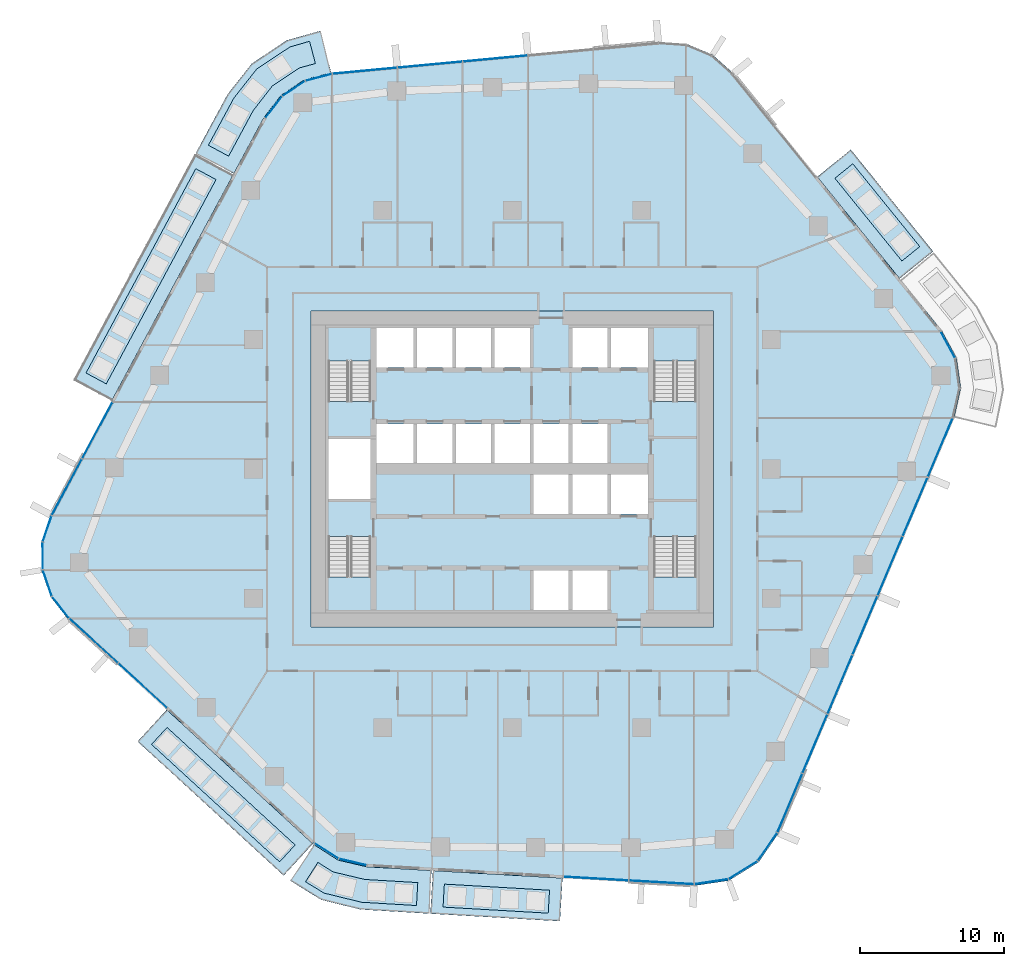
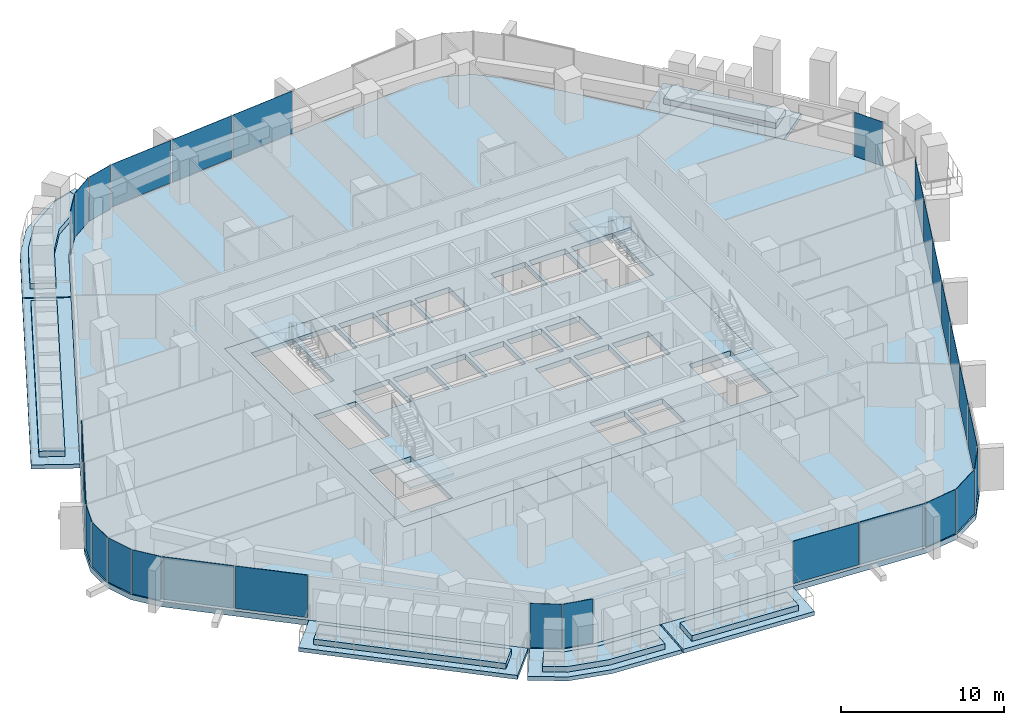
# One storey, part 10 of 24: 29 plates, 18 slabs, 14 elements without a shape of their own.
"""IFC4 building model written with IfcOpenShell, lengths in metres."""

from ifc_helpers import new_model, si_unit, direction, frame, origin, origin_2d, place, context, subcontext, project, spatial, polyline, rectangle, outline, extrude, material, layer, layer_set, type_object, element, aggregate, save


model = new_model("IFC4")

# Units and contexts
model_context = context("Model", 3, precision=1e-05, world=origin(), true_north=direction((0.0, 1.0)))
body_context = subcontext(model_context, "Body", "Model", "MODEL_VIEW")
ifc_project = project(units=[si_unit("LENGTHUNIT", "METRE"), si_unit("AREAUNIT", "SQUARE_METRE"), si_unit("VOLUMEUNIT", "CUBIC_METRE"), si_unit("PLANEANGLEUNIT", "RADIAN"), si_unit("MASSUNIT", "GRAM", prefix="KILO")], contexts=[model_context])

# Site, building, storey
site_placement = place(None, origin())
site = spatial("IfcSite", under=ifc_project, at=site_placement, CompositionType="ELEMENT")
building_placement = place(site_placement, origin())
building = spatial("IfcBuilding", under=site, at=building_placement, Name="Dongbaek Canopy Tower", CompositionType="ELEMENT")
storey_placement = place(building_placement, frame((0.0, 0.0, 124.800048828125)))
storey = spatial("IfcBuildingStorey", under=building, at=storey_placement, Name="L27", CompositionType="ELEMENT", Elevation=124.800048828125)

# Slabs
ifc_material_1 = material(Name="Concrete C40/50", Category="concrete")
ifc_layer_1 = layer(ifc_material_1, 0.300048828125)
ifc_layer_set_1 = layer_set([ifc_layer_1], Name="Balcony slab 300")
slab_type_1 = type_object("IfcSlabType", Name="Balcony slab 300", PredefinedType="FLOOR", material=ifc_layer_set_1)
slab_1_placement = place(storey_placement, frame((0.0, 0.0, -0.300048828125)))
element("IfcSlab", 1, at=slab_1_placement, inside=storey, type_object=slab_type_1, Name="Balcony L27 1", PredefinedType="FLOOR", context=body_context, shape_type="SweptSolid", body=[
    extrude(outline(polyline([(26.938720703125, 13.24365234375), (21.208740234375, 20.31982421875), (23.540283203125, 22.207763671875), (29.27001953125, 15.131591796875), (26.938720703125, 13.24365234375)])), origin(), (0.0, 0.0, 1.0), 0.300048828125),
])
slab_2_placement = place(storey_placement, frame((0.0, 0.0, -0.300048828125)))
element("IfcSlab", 2, at=slab_2_placement, inside=storey, type_object=slab_type_1, Name="Balcony L27 2", PredefinedType="FLOOR", context=body_context, shape_type="SweptSolid", body=[
    extrude(outline(polyline([(-19.41796875, 20.454833984375), (-27.858154296875, 4.7509765625), (-30.500732421875, 6.171142578125), (-22.060546875, 21.875), (-19.41796875, 20.454833984375)])), origin(), (0.0, 0.0, 1.0), 0.300048828125),
])
slab_3_placement = place(storey_placement, frame((0.0, 0.0, -0.300048828125)))
element("IfcSlab", 3, at=slab_3_placement, inside=storey, type_object=slab_type_1, Name="Balcony L27 6", PredefinedType="FLOOR", context=body_context, shape_type="SweptSolid", body=[
    extrude(outline(polyline([(-12.59619140625, 27.5673828125), (-14.442626953125, 27.0810546875), (-16.07568359375, 25.998046875), (-17.2724609375, 24.44677734375), (-19.370849609375, 20.54296875), (-22.01318359375, 21.963134765625), (-19.789794921875, 26.078857421875), (-18.11962890625, 28.194091796875), (-15.670166015625, 29.818359375), (-13.3603515625, 30.468505859375), (-12.59619140625, 27.5673828125)])), origin(), (0.0, 0.0, 1.0), 0.300048828125),
])
slab_4_placement = place(storey_placement, frame((0.0, 0.0, -0.300048828125)))
element("IfcSlab", 4, at=slab_4_placement, inside=storey, type_object=slab_type_1, Name="Balcony L27 3", PredefinedType="FLOOR", context=body_context, shape_type="SweptSolid", body=[
    extrude(outline(polyline([(-24.036376953125, -16.743896484375), (-13.875244140625, -26.064697265625), (-15.903076171875, -28.275390625), (-26.064208984375, -18.95458984375), (-24.036376953125, -16.743896484375)])), origin(), (0.0, 0.0, 1.0), 0.300048828125),
])
slab_5_placement = place(storey_placement, frame((0.0, 0.0, -0.300048828125)))
element("IfcSlab", 5, at=slab_5_placement, inside=storey, type_object=slab_type_1, Name="Balcony L27 4", PredefinedType="FLOOR", context=body_context, shape_type="SweptSolid", body=[
    extrude(outline(polyline([(-5.52294921875, -27.933349609375), (3.489501953125, -28.45458984375), (3.316162109375, -31.44970703125), (-5.6962890625, -30.92822265625), (-5.52294921875, -27.933349609375)])), origin(), (0.0, 0.0, 1.0), 0.300048828125),
])
slab_6_placement = place(storey_placement, frame((0.0, 0.0, -0.300048828125)))
element("IfcSlab", 6, at=slab_6_placement, inside=storey, type_object=slab_type_1, Name="Balcony L27 7", PredefinedType="FLOOR", context=body_context, shape_type="SweptSolid", body=[
    extrude(outline(polyline([(-13.79638671875, -26.12548828125), (-12.119140625, -27.203125), (-10.12890625, -27.666748046875), (-5.622802734375, -27.927490234375), (-5.796142578125, -30.922607421875), (-10.5576171875, -30.635986328125), (-13.28759765625, -29.96630859375), (-15.418212890625, -28.649169921875), (-13.79638671875, -26.12548828125)])), origin(), (0.0, 0.0, 1.0), 0.300048828125),
])

# Curtain wall, plate
ifc_material_2 = material(Name="Aluminium 6063-T6 pale anodised", Category="aluminium")
ifc_layer_2 = layer(ifc_material_2, 0.199951171875)
ifc_layer_set_2 = layer_set([ifc_layer_2], Name="CW-1 unitised tower curtain wall")
curtain_wall_type = type_object("IfcCurtainWallType", Name="CW-1 unitised tower curtain wall", PredefinedType="NOTDEFINED", material=ifc_layer_set_2)
curtain_wall_1_placement = place(storey_placement, origin())
curtain_wall_1 = element("IfcCurtainWall", 7, at=curtain_wall_1_placement, inside=storey, type_object=curtain_wall_type, Name="CW-1 curtain wall K0.1", PredefinedType="NOTDEFINED")
ifc_material_3 = material(Name="Clear laminated glass", Category="glass")
ifc_layer_3 = layer(ifc_material_3, 0.028076171875)
ifc_layer_set_3 = layer_set([ifc_layer_3], Name="CW-1 glazed panel 28")
plate_type = type_object("IfcPlateType", Name="CW-1 glazed panel 28", PredefinedType="CURTAIN_PANEL", material=ifc_layer_set_3)
plate_1_placement = place(storey_placement, frame((30.29248046875, 8.640869140625, 0.0), z_axis=(0.0, 0.0, 1.0), x_axis=(-0.479865359052, 0.87734214374, 0.0)))
plate_1 = element("IfcPlate", 8, at=plate_1_placement, type_object=plate_type, Name="CW-1 panel K0.1.3.1", PredefinedType="CURTAIN_PANEL", context=body_context, shape_type="SweptSolid", body=[
    extrude(rectangle(XDim=2.038818359375, YDim=0.028076171875, at=origin_2d()), origin(), (0.0, 0.0, 1.0), 3.300048828125),
])
aggregate(curtain_wall_1, [plate_1])

# Curtain wall, plates
curtain_wall_2_placement = place(storey_placement, origin())
curtain_wall_2 = element("IfcCurtainWall", 9, at=curtain_wall_2_placement, inside=storey, type_object=curtain_wall_type, Name="CW-1 curtain wall F1.1", PredefinedType="NOTDEFINED")
plate_2_placement = place(storey_placement, frame((-1.18408203125, 28.545654296875, 0.1201171875), z_axis=(0.0, 0.0, 1.0), x_axis=(-0.995628871634, -0.093397804951, 0.0)))
plate_2 = element("IfcPlate", 10, at=plate_2_placement, type_object=plate_type, Name="CW-1 panel F1.1.3.1", PredefinedType="CURTAIN_PANEL", context=body_context, shape_type="SweptSolid", body=[
    extrude(rectangle(XDim=4.477783203125, YDim=0.028076171875, at=origin_2d()), origin(), (0.0, 0.0, 1.0), 3.179931640625),
])
plate_3_placement = place(storey_placement, frame((-5.725830078125, 28.11962890625, 0.1201171875), z_axis=(0.0, 0.0, 1.0), x_axis=(-0.995628871634, -0.093397804951, 0.0)))
plate_3 = element("IfcPlate", 11, at=plate_3_placement, type_object=plate_type, Name="CW-1 panel F1.1.4.1", PredefinedType="CURTAIN_PANEL", context=body_context, shape_type="SweptSolid", body=[
    extrude(rectangle(XDim=4.477783203125, YDim=0.028076171875, at=origin_2d()), origin(), (0.0, 0.0, 1.0), 3.179931640625),
])
plate_4_placement = place(storey_placement, frame((-10.263671875, 27.694091796875, 0.1201171875), z_axis=(0.0, 0.0, 1.0), x_axis=(-0.995628871634, -0.093397804951, 0.0)))
plate_4 = element("IfcPlate", 12, at=plate_4_placement, type_object=plate_type, Name="CW-1 panel F1.1.5.1", PredefinedType="CURTAIN_PANEL", context=body_context, shape_type="SweptSolid", body=[
    extrude(rectangle(XDim=4.469482421875, YDim=0.028076171875, at=origin_2d()), origin(), (0.0, 0.0, 1.0), 3.179931640625),
])
aggregate(curtain_wall_2, [plate_2, plate_3, plate_4])

curtain_wall_3_placement = place(storey_placement, origin())
curtain_wall_3 = element("IfcCurtainWall", 13, at=curtain_wall_3_placement, inside=storey, type_object=curtain_wall_type, Name="CW-1 curtain wall K2.1", PredefinedType="NOTDEFINED")
plate_5_placement = place(storey_placement, frame((-13.4658203125, 27.235107421875, 0.0), z_axis=(0.0, 0.0, 1.0), x_axis=(-0.967016491994, -0.254713769182, 0.0)))
plate_5 = element("IfcPlate", 14, at=plate_5_placement, type_object=plate_type, Name="CW-1 panel K2.1.1.1", PredefinedType="CURTAIN_PANEL", context=body_context, shape_type="SweptSolid", body=[
    extrude(rectangle(XDim=1.8505859375, YDim=0.028076171875, at=origin_2d()), origin(), (0.0, 0.0, 1.0), 3.300048828125),
])
plate_6_placement = place(storey_placement, frame((-15.203857421875, 26.456298828125, 0.0), z_axis=(0.0, 0.0, 1.0), x_axis=(-0.833387890824, -0.552688541068, 0.0)))
plate_6 = element("IfcPlate", 15, at=plate_6_placement, type_object=plate_type, Name="CW-1 panel K2.1.2.1", PredefinedType="CURTAIN_PANEL", context=body_context, shape_type="SweptSolid", body=[
    extrude(rectangle(XDim=1.84228515625, YDim=0.028076171875, at=origin_2d()), origin(), (0.0, 0.0, 1.0), 3.300048828125),
])
plate_7_placement = place(storey_placement, frame((-16.597412109375, 25.158203125, 0.0), z_axis=(0.0, 0.0, 1.0), x_axis=(-0.610882164883, -0.791721529724, 0.0)))
plate_7 = element("IfcPlate", 16, at=plate_7_placement, type_object=plate_type, Name="CW-1 panel K2.1.3.1", PredefinedType="CURTAIN_PANEL", context=body_context, shape_type="SweptSolid", body=[
    extrude(rectangle(XDim=1.8505859375, YDim=0.028076171875, at=origin_2d()), origin(), (0.0, 0.0, 1.0), 3.300048828125),
])
aggregate(curtain_wall_3, [plate_5, plate_6, plate_7])

curtain_wall_4_placement = place(storey_placement, origin())
curtain_wall_4 = element("IfcCurtainWall", 17, at=curtain_wall_4_placement, inside=storey, type_object=curtain_wall_type, Name="CW-1 curtain wall F2.1", PredefinedType="NOTDEFINED")
plate_8_placement = place(storey_placement, frame((-28.854736328125, 2.685546875, 0.1201171875), z_axis=(0.0, 0.0, 1.0), x_axis=(-0.473408868372, -0.880842802858, 0.0)))
plate_8 = element("IfcPlate", 18, at=plate_8_placement, type_object=plate_type, Name="CW-1 panel F2.1.1.1", PredefinedType="CURTAIN_PANEL", context=body_context, shape_type="SweptSolid", body=[
    extrude(rectangle(XDim=4.39794921875, YDim=0.028076171875, at=origin_2d()), origin(), (0.0, 0.0, 1.0), 3.179931640625),
])
plate_9_placement = place(storey_placement, frame((-30.974609375, -1.2587890625, 0.1201171875), z_axis=(0.0, 0.0, 1.0), x_axis=(-0.473408868372, -0.880842802858, 0.0)))
plate_9 = element("IfcPlate", 19, at=plate_9_placement, type_object=plate_type, Name="CW-1 panel F2.1.2.1", PredefinedType="CURTAIN_PANEL", context=body_context, shape_type="SweptSolid", body=[
    extrude(rectangle(XDim=4.389892578125, YDim=0.028076171875, at=origin_2d()), origin(), (0.0, 0.0, 1.0), 3.179931640625),
])
aggregate(curtain_wall_4, [plate_8, plate_9])

curtain_wall_5_placement = place(storey_placement, origin())
curtain_wall_5 = element("IfcCurtainWall", 20, at=curtain_wall_5_placement, inside=storey, type_object=curtain_wall_type, Name="CW-1 curtain wall K3.1", PredefinedType="NOTDEFINED")
plate_10_placement = place(storey_placement, frame((-32.347412109375, -4.1513671875, 0.0), z_axis=(0.0, 0.0, 1.0), x_axis=(-0.322102411713, -0.946704830646, 0.0)))
plate_10 = element("IfcPlate", 21, at=plate_10_placement, type_object=plate_type, Name="CW-1 panel K3.1.1.1", PredefinedType="CURTAIN_PANEL", context=body_context, shape_type="SweptSolid", body=[
    extrude(rectangle(XDim=1.864501953125, YDim=0.028076171875, at=origin_2d()), origin(), (0.0, 0.0, 1.0), 3.300048828125),
])
plate_11_placement = place(storey_placement, frame((-32.65869140625, -6.0439453125, 0.0), z_axis=(0.0, 0.0, 1.0), x_axis=(0.002465299331, -0.999996961145, 0.0)))
plate_11 = element("IfcPlate", 22, at=plate_11_placement, type_object=plate_type, Name="CW-1 panel K3.1.2.1", PredefinedType="CURTAIN_PANEL", context=body_context, shape_type="SweptSolid", body=[
    extrude(rectangle(XDim=1.856201171875, YDim=0.028076171875, at=origin_2d()), origin(), (0.0, 0.0, 1.0), 3.300048828125),
])
plate_12_placement = place(storey_placement, frame((-32.33935546875, -7.9306640625, 0.0), z_axis=(0.0, 0.0, 1.0), x_axis=(0.326766303833, -0.945105170169, 0.0)))
plate_12 = element("IfcPlate", 23, at=plate_12_placement, type_object=plate_type, Name="CW-1 panel K3.1.3.1", PredefinedType="CURTAIN_PANEL", context=body_context, shape_type="SweptSolid", body=[
    extrude(rectangle(XDim=1.856201171875, YDim=0.028076171875, at=origin_2d()), origin(), (0.0, 0.0, 1.0), 3.300048828125),
])
plate_13_placement = place(storey_placement, frame((-31.422607421875, -9.615234375, 0.0), z_axis=(0.0, 0.0, 1.0), x_axis=(0.615716340737, -0.787967884973, 0.0)))
plate_13 = element("IfcPlate", 24, at=plate_13_placement, type_object=plate_type, Name="CW-1 panel K3.1.4.1", PredefinedType="CURTAIN_PANEL", context=body_context, shape_type="SweptSolid", body=[
    extrude(rectangle(XDim=1.864501953125, YDim=0.028076171875, at=origin_2d()), origin(), (0.0, 0.0, 1.0), 3.300048828125),
])
aggregate(curtain_wall_5, [plate_10, plate_11, plate_12, plate_13])

curtain_wall_6_placement = place(storey_placement, origin())
curtain_wall_6 = element("IfcCurtainWall", 25, at=curtain_wall_6_placement, inside=storey, type_object=curtain_wall_type, Name="CW-1 curtain wall F3.1", PredefinedType="NOTDEFINED")
plate_14_placement = place(storey_placement, frame((-29.119873046875, -11.94482421875, 0.1201171875), z_axis=(0.0, 0.0, 1.0), x_axis=(0.73691964934, -0.675980347655, 0.0)))
plate_14 = element("IfcPlate", 26, at=plate_14_placement, type_object=plate_type, Name="CW-1 panel F3.1.1.1", PredefinedType="CURTAIN_PANEL", context=body_context, shape_type="SweptSolid", body=[
    extrude(rectangle(XDim=4.537353515625, YDim=0.028076171875, at=origin_2d()), origin(), (0.0, 0.0, 1.0), 3.179931640625),
])
plate_15_placement = place(storey_placement, frame((-25.71142578125, -15.071533203125, 0.1201171875), z_axis=(0.0, 0.0, 1.0), x_axis=(0.73691964934, -0.675980347655, 0.0)))
plate_15 = element("IfcPlate", 27, at=plate_15_placement, type_object=plate_type, Name="CW-1 panel F3.1.2.1", PredefinedType="CURTAIN_PANEL", context=body_context, shape_type="SweptSolid", body=[
    extrude(rectangle(XDim=4.54541015625, YDim=0.028076171875, at=origin_2d()), origin(), (0.0, 0.0, 1.0), 3.179931640625),
])
aggregate(curtain_wall_6, [plate_14, plate_15])

curtain_wall_7_placement = place(storey_placement, origin())
curtain_wall_7 = element("IfcCurtainWall", 28, at=curtain_wall_7_placement, inside=storey, type_object=curtain_wall_type, Name="CW-1 curtain wall K4.1", PredefinedType="NOTDEFINED")
plate_16_placement = place(storey_placement, frame((-12.928466796875, -26.564208984375, 0.0), z_axis=(0.0, 0.0, 1.0), x_axis=(0.84127065306, -0.540614176933, 0.0)))
plate_16 = element("IfcPlate", 29, at=plate_16_placement, type_object=plate_type, Name="CW-1 panel K4.1.1.1", PredefinedType="CURTAIN_PANEL", context=body_context, shape_type="SweptSolid", body=[
    extrude(rectangle(XDim=1.93359375, YDim=0.028076171875, at=origin_2d()), origin(), (0.0, 0.0, 1.0), 3.300048828125),
])
plate_17_placement = place(storey_placement, frame((-11.09716796875, -27.338623046875, 0.0), z_axis=(0.0, 0.0, 1.0), x_axis=(0.973913734887, -0.226918569092, 0.0)))
plate_17 = element("IfcPlate", 30, at=plate_17_placement, type_object=plate_type, Name="CW-1 panel K4.1.2.1", PredefinedType="CURTAIN_PANEL", context=body_context, shape_type="SweptSolid", body=[
    extrude(rectangle(XDim=1.93359375, YDim=0.028076171875, at=origin_2d()), origin(), (0.0, 0.0, 1.0), 3.300048828125),
])
aggregate(curtain_wall_7, [plate_16, plate_17])

curtain_wall_8_placement = place(storey_placement, origin())
curtain_wall_8 = element("IfcCurtainWall", 31, at=curtain_wall_8_placement, inside=storey, type_object=curtain_wall_type, Name="CW-1 curtain wall F4.1", PredefinedType="NOTDEFINED")
plate_18_placement = place(storey_placement, frame((5.8232421875, -28.489501953125, 0.1201171875), z_axis=(0.0, 0.0, 1.0), x_axis=(0.998330893109, -0.057753163239, 0.0)))
plate_18 = element("IfcPlate", 32, at=plate_18_placement, type_object=plate_type, Name="CW-1 panel F4.1.1.1", PredefinedType="CURTAIN_PANEL", context=body_context, shape_type="SweptSolid", body=[
    extrude(rectangle(XDim=4.479736328125, YDim=0.028076171875, at=origin_2d()), origin(), (0.0, 0.0, 1.0), 3.179931640625),
])
plate_19_placement = place(storey_placement, frame((10.374267578125, -28.752685546875, 0.1201171875), z_axis=(0.0, 0.0, 1.0), x_axis=(0.998330893109, -0.057753163239, 0.0)))
plate_19 = element("IfcPlate", 33, at=plate_19_placement, type_object=plate_type, Name="CW-1 panel F4.1.2.1", PredefinedType="CURTAIN_PANEL", context=body_context, shape_type="SweptSolid", body=[
    extrude(rectangle(XDim=4.469482421875, YDim=0.028076171875, at=origin_2d()), origin(), (0.0, 0.0, 1.0), 3.179931640625),
])
aggregate(curtain_wall_8, [plate_18, plate_19])

curtain_wall_9_placement = place(storey_placement, origin())
curtain_wall_9 = element("IfcCurtainWall", 34, at=curtain_wall_9_placement, inside=storey, type_object=curtain_wall_type, Name="CW-1 curtain wall K5.1", PredefinedType="NOTDEFINED")
plate_20_placement = place(storey_placement, frame((13.83837890625, -28.7080078125, 0.0), z_axis=(0.0, 0.0, 1.0), x_axis=(0.989224591579, 0.146405967824, 0.0)))
plate_20 = element("IfcPlate", 35, at=plate_20_placement, type_object=plate_type, Name="CW-1 panel K5.1.1.1", PredefinedType="CURTAIN_PANEL", context=body_context, shape_type="SweptSolid", body=[
    extrude(rectangle(XDim=2.324462890625, YDim=0.028076171875, at=origin_2d()), origin(), (0.0, 0.0, 1.0), 3.300048828125),
])
plate_21_placement = place(storey_placement, frame((16.0478515625, -27.8984375, 0.0), z_axis=(0.0, 0.0, 1.0), x_axis=(0.849176171433, 0.528109675987, 0.0)))
plate_21 = element("IfcPlate", 36, at=plate_21_placement, type_object=plate_type, Name="CW-1 panel K5.1.2.1", PredefinedType="CURTAIN_PANEL", context=body_context, shape_type="SweptSolid", body=[
    extrude(rectangle(XDim=2.31396484375, YDim=0.028076171875, at=origin_2d()), origin(), (0.0, 0.0, 1.0), 3.300048828125),
])
plate_22_placement = place(storey_placement, frame((17.7509765625, -26.274658203125, 0.0), z_axis=(0.0, 0.0, 1.0), x_axis=(0.568749350767, 0.822510897194, 0.0)))
plate_22 = element("IfcPlate", 37, at=plate_22_placement, type_object=plate_type, Name="CW-1 panel K5.1.3.1", PredefinedType="CURTAIN_PANEL", context=body_context, shape_type="SweptSolid", body=[
    extrude(rectangle(XDim=2.324462890625, YDim=0.028076171875, at=origin_2d()), origin(), (0.0, 0.0, 1.0), 3.300048828125),
])
aggregate(curtain_wall_9, [plate_20, plate_21, plate_22])

curtain_wall_10_placement = place(storey_placement, origin())
curtain_wall_10 = element("IfcCurtainWall", 38, at=curtain_wall_10_placement, inside=storey, type_object=curtain_wall_type, Name="CW-1 curtain wall F5.1", PredefinedType="NOTDEFINED")
plate_23_placement = place(storey_placement, frame((19.3056640625, -23.228515625, 0.1201171875), z_axis=(0.0, 0.0, 1.0), x_axis=(0.389662506836, 0.920957724744, 0.0)))
plate_23 = element("IfcPlate", 39, at=plate_23_placement, type_object=plate_type, Name="CW-1 panel F5.1.1.1", PredefinedType="CURTAIN_PANEL", context=body_context, shape_type="SweptSolid", body=[
    extrude(rectangle(XDim=4.38037109375, YDim=0.028076171875, at=origin_2d()), origin(), (0.0, 0.0, 1.0), 3.179931640625),
])
plate_24_placement = place(storey_placement, frame((21.04736328125, -19.1123046875, 0.1201171875), z_axis=(0.0, 0.0, 1.0), x_axis=(0.389662506836, 0.920957724744, 0.0)))
plate_24 = element("IfcPlate", 40, at=plate_24_placement, type_object=plate_type, Name="CW-1 panel F5.1.2.1", PredefinedType="CURTAIN_PANEL", context=body_context, shape_type="SweptSolid", body=[
    extrude(rectangle(XDim=4.390625, YDim=0.028076171875, at=origin_2d()), origin(), (0.0, 0.0, 1.0), 3.179931640625),
])
plate_25_placement = place(storey_placement, frame((22.791015625, -14.9912109375, 0.1201171875), z_axis=(0.0, 0.0, 1.0), x_axis=(0.389662506836, 0.920957724744, 0.0)))
plate_25 = element("IfcPlate", 41, at=plate_25_placement, type_object=plate_type, Name="CW-1 panel F5.1.3.1", PredefinedType="CURTAIN_PANEL", context=body_context, shape_type="SweptSolid", body=[
    extrude(rectangle(XDim=4.390625, YDim=0.028076171875, at=origin_2d()), origin(), (0.0, 0.0, 1.0), 3.179931640625),
])
plate_26_placement = place(storey_placement, frame((24.534423828125, -10.870361328125, 0.1201171875), z_axis=(0.0, 0.0, 1.0), x_axis=(0.389662506836, 0.920957724744, 0.0)))
plate_26 = element("IfcPlate", 42, at=plate_26_placement, type_object=plate_type, Name="CW-1 panel F5.1.4.1", PredefinedType="CURTAIN_PANEL", context=body_context, shape_type="SweptSolid", body=[
    extrude(rectangle(XDim=4.390625, YDim=0.028076171875, at=origin_2d()), origin(), (0.0, 0.0, 1.0), 3.179931640625),
])
plate_27_placement = place(storey_placement, frame((26.278076171875, -6.749267578125, 0.1201171875), z_axis=(0.0, 0.0, 1.0), x_axis=(0.389662506836, 0.920957724744, 0.0)))
plate_27 = element("IfcPlate", 43, at=plate_27_placement, type_object=plate_type, Name="CW-1 panel F5.1.5.1", PredefinedType="CURTAIN_PANEL", context=body_context, shape_type="SweptSolid", body=[
    extrude(rectangle(XDim=4.390625, YDim=0.028076171875, at=origin_2d()), origin(), (0.0, 0.0, 1.0), 3.179931640625),
])
plate_28_placement = place(storey_placement, frame((28.021728515625, -2.62841796875, 0.1201171875), z_axis=(0.0, 0.0, 1.0), x_axis=(0.389662506836, 0.920957724744, 0.0)))
plate_28 = element("IfcPlate", 44, at=plate_28_placement, type_object=plate_type, Name="CW-1 panel F5.1.6.1", PredefinedType="CURTAIN_PANEL", context=body_context, shape_type="SweptSolid", body=[
    extrude(rectangle(XDim=4.390625, YDim=0.028076171875, at=origin_2d()), origin(), (0.0, 0.0, 1.0), 3.179931640625),
])
plate_29_placement = place(storey_placement, frame((29.763671875, 1.488525390625, 0.1201171875), z_axis=(0.0, 0.0, 1.0), x_axis=(0.389662506836, 0.920957724744, 0.0)))
plate_29 = element("IfcPlate", 45, at=plate_29_placement, type_object=plate_type, Name="CW-1 panel F5.1.7.1", PredefinedType="CURTAIN_PANEL", context=body_context, shape_type="SweptSolid", body=[
    extrude(rectangle(XDim=4.381591796875, YDim=0.028076171875, at=origin_2d()), origin(), (0.0, 0.0, 1.0), 3.179931640625),
])
aggregate(curtain_wall_10, [plate_23, plate_24, plate_25, plate_26, plate_27, plate_28, plate_29])

# Slab
ifc_material_4 = material(Name="Concrete C40/50", Category="concrete")
ifc_layer_4 = layer(ifc_material_4, 0.39990234375)
ifc_layer_set_4 = layer_set([ifc_layer_4], Name="Core floor slab 400 Concrete C40/50")
slab_type_2 = type_object("IfcSlabType", Name="Core floor slab 400 Concrete C40/50", PredefinedType="FLOOR", material=ifc_layer_set_4)
slab_7_placement = place(storey_placement, frame((0.0, 0.0, -0.400146484375)))
element("IfcSlab", 46, at=slab_7_placement, inside=storey, type_object=slab_type_2, Name="Core floor slab L27", PredefinedType="FLOOR", context=body_context, shape_type="SweptSolid", body=[
    extrude(outline(polyline([(14.0, -11.0), (14.0, 11.0), (-14.0, 11.0), (-14.0, -11.0), (14.0, -11.0)]), holes=[polyline([(-12.800048828125, 2.10009765625), (-9.85009765625, 2.10009765625), (-9.85009765625, -2.10009765625), (-12.800048828125, -2.10009765625), (-12.800048828125, 2.10009765625)]), polyline([(-6.875, 9.800048828125), (-6.875, 7.074951171875), (-9.449951171875, 7.074951171875), (-9.449951171875, 9.800048828125), (-6.875, 9.800048828125)]), polyline([(-4.175048828125, 9.800048828125), (-4.175048828125, 7.074951171875), (-6.625, 7.074951171875), (-6.625, 9.800048828125), (-4.175048828125, 9.800048828125)]), polyline([(-1.47509765625, 9.800048828125), (-1.47509765625, 7.074951171875), (-3.925048828125, 7.074951171875), (-3.925048828125, 9.800048828125), (-1.47509765625, 9.800048828125)]), polyline([(1.22509765625, 9.800048828125), (1.22509765625, 7.074951171875), (-1.22509765625, 7.074951171875), (-1.22509765625, 9.800048828125), (1.22509765625, 9.800048828125)]), polyline([(6.625, 9.800048828125), (6.625, 7.074951171875), (4.175048828125, 7.074951171875), (4.175048828125, 9.800048828125), (6.625, 9.800048828125)]), polyline([(9.449951171875, 7.074951171875), (6.875, 7.074951171875), (6.875, 9.800048828125), (9.449951171875, 9.800048828125), (9.449951171875, 7.074951171875)]), polyline([(-9.449951171875, 3.125), (-6.875, 3.125), (-6.875, 0.39990234375), (-9.449951171875, 0.39990234375), (-9.449951171875, 3.125)]), polyline([(-6.625, 3.125), (-4.175048828125, 3.125), (-4.175048828125, 0.39990234375), (-6.625, 0.39990234375), (-6.625, 3.125)]), polyline([(-3.925048828125, 3.125), (-1.47509765625, 3.125), (-1.47509765625, 0.39990234375), (-3.925048828125, 0.39990234375), (-3.925048828125, 3.125)]), polyline([(-1.22509765625, 0.39990234375), (-1.22509765625, 3.125), (1.22509765625, 3.125), (1.22509765625, 0.39990234375), (-1.22509765625, 0.39990234375)]), polyline([(3.925048828125, 3.125), (3.925048828125, 0.39990234375), (1.47509765625, 0.39990234375), (1.47509765625, 3.125), (3.925048828125, 3.125)]), polyline([(4.175048828125, 3.125), (6.625, 3.125), (6.625, 0.39990234375), (4.175048828125, 0.39990234375), (4.175048828125, 3.125)]), polyline([(1.47509765625, -0.39990234375), (3.925048828125, -0.39990234375), (3.925048828125, -3.125), (1.47509765625, -3.125), (1.47509765625, -0.39990234375)]), polyline([(4.175048828125, -3.125), (4.175048828125, -0.39990234375), (6.625, -0.39990234375), (6.625, -3.125), (4.175048828125, -3.125)]), polyline([(9.449951171875, -3.125), (6.875, -3.125), (6.875, -0.39990234375), (9.449951171875, -0.39990234375), (9.449951171875, -3.125)]), polyline([(1.47509765625, -9.800048828125), (1.47509765625, -7.074951171875), (3.925048828125, -7.074951171875), (3.925048828125, -9.800048828125), (1.47509765625, -9.800048828125)]), polyline([(4.175048828125, -9.800048828125), (4.175048828125, -7.074951171875), (6.625, -7.074951171875), (6.625, -9.800048828125), (4.175048828125, -9.800048828125)]), polyline([(12.800048828125, 4.70068359375), (12.800048828125, 9.800048828125), (9.85009765625, 9.800048828125), (9.85009765625, 4.70068359375), (12.800048828125, 4.70068359375)]), polyline([(-9.85009765625, 4.70068359375), (-9.85009765625, 9.800048828125), (-12.800048828125, 9.800048828125), (-12.800048828125, 4.70068359375), (-9.85009765625, 4.70068359375)]), polyline([(9.85009765625, -4.70068359375), (9.85009765625, -9.800048828125), (12.800048828125, -9.800048828125), (12.800048828125, -4.70068359375), (9.85009765625, -4.70068359375)]), polyline([(-12.800048828125, -4.70068359375), (-12.800048828125, -9.800048828125), (-9.85009765625, -9.800048828125), (-9.85009765625, -4.70068359375), (-12.800048828125, -4.70068359375)])]), origin(), (0.0, 0.0, 1.0), 0.400146484375),
])

# Stair, slab
ifc_material_5 = material(Name="Concrete C40/50", Category="concrete")
stair_type = type_object("IfcStairType", Name="Core exit stair", PredefinedType="HALF_TURN_STAIR", material=ifc_material_5)
stair_1_placement = place(storey_placement, origin())
stair_1 = element("IfcStair", 47, at=stair_1_placement, inside=storey, type_object=stair_type, Name="L27 exit stair A", PredefinedType="HALF_TURN_STAIR")
ifc_material_6 = material(Name="Concrete C40/50", Category="concrete")
ifc_layer_5 = layer(ifc_material_6, 0.199951171875)
ifc_layer_set_5 = layer_set([ifc_layer_5], Name="Core stair landing 200")
slab_type_3 = type_object("IfcSlabType", Name="Core stair landing 200", PredefinedType="LANDING", material=ifc_layer_set_5)
slab_8_placement = place(storey_placement, frame((0.0, 0.0, 1.64990234375)))
slab_8 = element("IfcSlab", 48, at=slab_8_placement, type_object=slab_type_3, Name="ST-A landing 1", PredefinedType="LANDING", context=body_context, shape_type="SweptSolid", body=[
    extrude(outline(polyline([(12.875, 7.5), (12.875, 9.875), (9.77490234375, 9.875), (9.77490234375, 7.5), (12.875, 7.5)])), origin(), (0.0, 0.0, 1.0), 0.199951171875),
])
aggregate(stair_1, [slab_8])

stair_2_placement = place(storey_placement, origin())
stair_2 = element("IfcStair", 49, at=stair_2_placement, inside=storey, type_object=stair_type, Name="L27 exit stair C", PredefinedType="HALF_TURN_STAIR")
slab_9_placement = place(storey_placement, frame((0.0, 0.0, 1.64990234375)))
slab_9 = element("IfcSlab", 50, at=slab_9_placement, type_object=slab_type_3, Name="ST-C landing 1", PredefinedType="LANDING", context=body_context, shape_type="SweptSolid", body=[
    extrude(outline(polyline([(-9.77490234375, 7.5), (-9.77490234375, 9.875), (-12.875, 9.875), (-12.875, 7.5), (-9.77490234375, 7.5)])), origin(), (0.0, 0.0, 1.0), 0.199951171875),
])
aggregate(stair_2, [slab_9])

stair_3_placement = place(storey_placement, origin())
stair_3 = element("IfcStair", 51, at=stair_3_placement, inside=storey, type_object=stair_type, Name="L27 exit stair B", PredefinedType="HALF_TURN_STAIR")
slab_10_placement = place(storey_placement, frame((0.0, 0.0, 1.64990234375)))
slab_10 = element("IfcSlab", 52, at=slab_10_placement, type_object=slab_type_3, Name="ST-B landing 1", PredefinedType="LANDING", context=body_context, shape_type="SweptSolid", body=[
    extrude(outline(polyline([(9.77490234375, -7.5), (9.77490234375, -9.875), (12.875, -9.875), (12.875, -7.5), (9.77490234375, -7.5)])), origin(), (0.0, 0.0, 1.0), 0.199951171875),
])
aggregate(stair_3, [slab_10])

stair_4_placement = place(storey_placement, origin())
stair_4 = element("IfcStair", 53, at=stair_4_placement, inside=storey, type_object=stair_type, Name="L27 exit stair D", PredefinedType="HALF_TURN_STAIR")
slab_11_placement = place(storey_placement, frame((0.0, 0.0, 1.64990234375)))
slab_11 = element("IfcSlab", 54, at=slab_11_placement, type_object=slab_type_3, Name="ST-D landing 1", PredefinedType="LANDING", context=body_context, shape_type="SweptSolid", body=[
    extrude(outline(polyline([(-12.875, -7.5), (-12.875, -9.875), (-9.77490234375, -9.875), (-9.77490234375, -7.5), (-12.875, -7.5)])), origin(), (0.0, 0.0, 1.0), 0.199951171875),
])
aggregate(stair_4, [slab_11])

# Slabs
ifc_material_7 = material(Name="Concrete C40", Category="concrete")
ifc_layer_6 = layer(ifc_material_7, 0.39990234375)
ifc_layer_set_6 = layer_set([ifc_layer_6], Name="RC FLAT PLATE 400 Concrete C40")
slab_type_4 = type_object("IfcSlabType", Name="RC FLAT PLATE 400 Concrete C40", PredefinedType="FLOOR", material=ifc_layer_set_6)
slab_12_placement = place(storey_placement, frame((0.0, 0.0, -0.400146484375)))
element("IfcSlab", 55, at=slab_12_placement, inside=storey, type_object=slab_type_4, Name="SLAB:L27", PredefinedType="FLOOR", context=body_context, shape_type="SweptSolid", body=[
    extrude(outline(polyline([(18.52392578125, -25.332763671875), (17.136474609375, -27.339111328125), (15.06494140625, -28.627685546875), (12.651611328125, -28.984619140625), (-10.12890625, -27.6669921875), (-12.119140625, -27.203125), (-13.83837890625, -26.098388671875), (-30.896240234375, -10.451171875), (-32.111328125, -8.89599609375), (-32.75634765625, -7.031005859375), (-32.76123046875, -5.057373046875), (-32.12548828125, -3.189208984375), (-17.272705078125, 24.447021484375), (-16.07568359375, 25.998291015625), (-14.442626953125, 27.0810546875), (-12.5478515625, 27.580078125), (10.1611328125, 29.71044921875), (12.114990234375, 29.57275390625), (13.920166015625, 28.81298828125), (15.384521484375, 27.512451171875), (29.866455078125, 9.6279296875), (30.898193359375, 7.741455078125), (31.19873046875, 5.6123046875), (30.729248046875, 3.51416015625), (18.52392578125, -25.332763671875)]), holes=[polyline([(14.0, 11.0), (-14.0, 11.0), (-14.0, -11.0), (14.0, -11.0), (14.0, 11.0)])]), origin(), (0.0, 0.0, 1.0), 0.400146484375),
])
ifc_material_8 = material(Name="Reinforced concrete C40/50 planter box with soil", Category="concrete")
ifc_layer_7 = layer(ifc_material_8, 0.419921875)
ifc_layer_set_7 = layer_set([ifc_layer_7], Name="Terrace planter box 1600 x 420")
slab_type_5 = type_object("IfcSlabType", Name="Terrace planter box 1600 x 420", PredefinedType="USERDEFINED", material=ifc_layer_set_7)
slab_13_placement = place(storey_placement, origin())
element("IfcSlab", 56, at=slab_13_placement, inside=storey, type_object=slab_type_5, Name="Balcony planter L27 1", ObjectType="PLANTER", PredefinedType="USERDEFINED", context=body_context, shape_type="SweptSolid", body=[
    extrude(outline(polyline([(27.095458984375, 14.46435546875), (22.435302734375, 20.21923828125), (23.6787109375, 21.22607421875), (28.3388671875, 15.47119140625), (27.095458984375, 14.46435546875)])), origin(), (0.0, 0.0, 1.0), 0.419921875),
])
slab_14_placement = place(storey_placement, origin())
element("IfcSlab", 57, at=slab_14_placement, inside=storey, type_object=slab_type_5, Name="Balcony planter L27 2", ObjectType="PLANTER", PredefinedType="USERDEFINED", context=body_context, shape_type="SweptSolid", body=[
    extrude(outline(polyline([(-20.6044921875, 20.12744140625), (-28.23974609375, 5.9208984375), (-29.64892578125, 6.678466796875), (-22.013671875, 20.885009765625), (-20.6044921875, 20.12744140625)])), origin(), (0.0, 0.0, 1.0), 0.419921875),
])
slab_15_placement = place(storey_placement, origin())
element("IfcSlab", 58, at=slab_15_placement, inside=storey, type_object=slab_type_5, Name="Balcony planter L27 6", ObjectType="PLANTER", PredefinedType="USERDEFINED", context=body_context, shape_type="SweptSolid", body=[
    extrude(outline(polyline([(-13.693359375, 28.19873046875), (-14.806884765625, 27.89306640625), (-16.681884765625, 26.649658203125), (-18.019287109375, 24.930908203125), (-19.728515625, 21.757080078125), (-21.137939453125, 22.514404296875), (-19.36181640625, 25.80126953125), (-17.772216796875, 27.82080078125), (-15.461669921875, 29.35302734375), (-14.100830078125, 29.74609375), (-13.693359375, 28.19873046875)])), origin(), (0.0, 0.0, 1.0), 0.419921875),
])
slab_16_placement = place(storey_placement, origin())
element("IfcSlab", 59, at=slab_16_placement, inside=storey, type_object=slab_type_5, Name="Balcony planter L27 3", ObjectType="PLANTER", PredefinedType="USERDEFINED", context=body_context, shape_type="SweptSolid", body=[
    extrude(outline(polyline([(-24.011474609375, -17.97412109375), (-15.103271484375, -26.145751953125), (-16.184814453125, -27.324951171875), (-25.093017578125, -19.1533203125), (-24.011474609375, -17.97412109375)])), origin(), (0.0, 0.0, 1.0), 0.419921875),
])
slab_17_placement = place(storey_placement, origin())
element("IfcSlab", 60, at=slab_17_placement, inside=storey, type_object=slab_type_5, Name="Balcony planter L27 4", ObjectType="PLANTER", PredefinedType="USERDEFINED", context=body_context, shape_type="SweptSolid", body=[
    extrude(outline(polyline([(-4.725830078125, -28.870849609375), (2.589599609375, -29.294189453125), (2.4970703125, -30.891357421875), (-4.818115234375, -30.46826171875), (-4.725830078125, -28.870849609375)])), origin(), (0.0, 0.0, 1.0), 0.419921875),
])
slab_18_placement = place(storey_placement, origin())
element("IfcSlab", 61, at=slab_18_placement, inside=storey, type_object=slab_type_5, Name="Balcony planter L27 7", ObjectType="PLANTER", PredefinedType="USERDEFINED", context=body_context, shape_type="SweptSolid", body=[
    extrude(outline(polyline([(-13.520263671875, -27.360595703125), (-12.4658203125, -28.02294921875), (-10.256103515625, -28.547607421875), (-6.57275390625, -28.76416015625), (-6.6650390625, -30.361328125), (-10.48486328125, -30.13134765625), (-13.0888671875, -29.49658203125), (-14.38525390625, -28.706787109375), (-13.520263671875, -27.360595703125)])), origin(), (0.0, 0.0, 1.0), 0.419921875),
])

save(model, "model.ifc")
